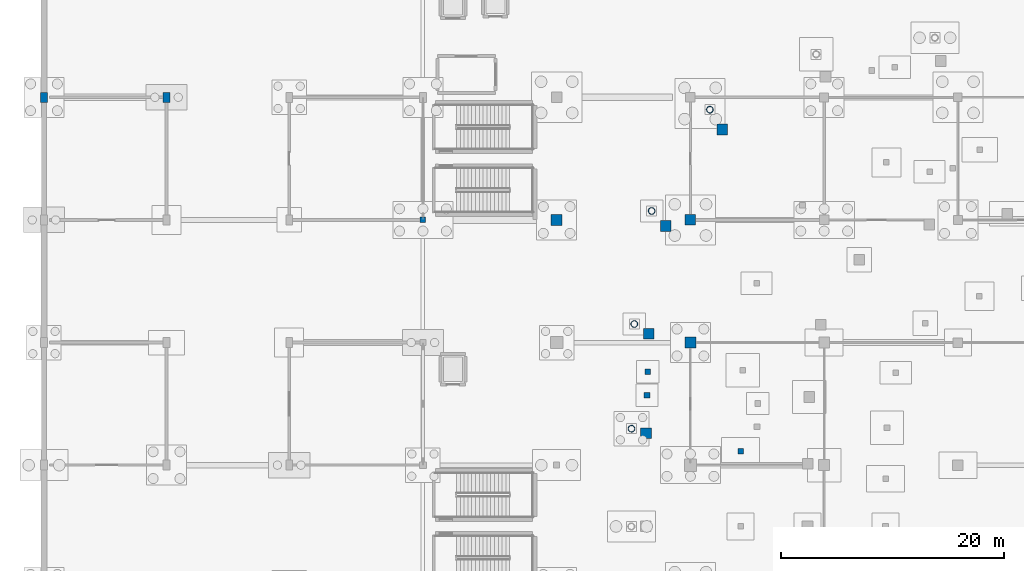
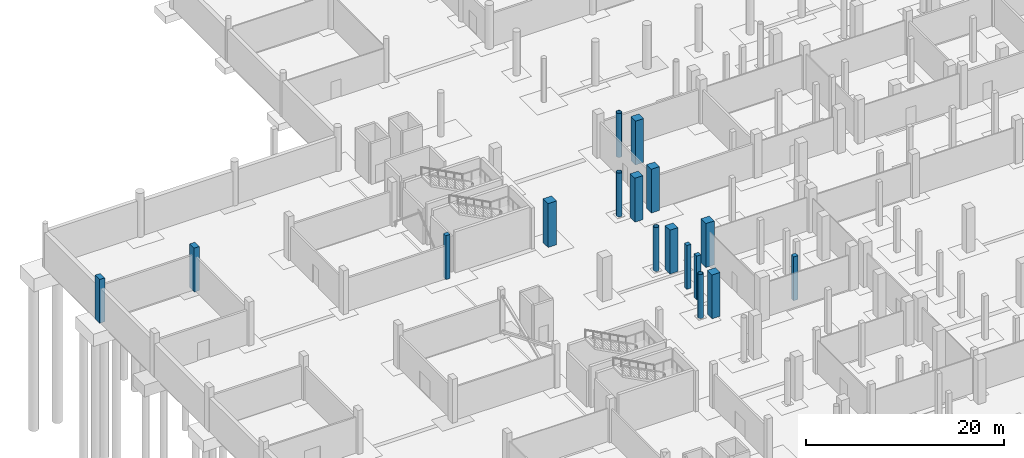
# One storey, part 15 of 60: 17 columns.
"""IFC4 building model written with IfcOpenShell, lengths in metres."""

from ifc_helpers import new_model, si_unit, direction, frame, origin, origin_2d, place, context, subcontext, project, spatial, rectangle, hollow_circle, extrude, material, material_profile, profile_set, type_object, element, save


model = new_model("IFC4")

# Units and contexts
model_context = context("Model", 3, precision=1e-05, world=origin(), true_north=direction((0.0, 1.0)))
body_context = subcontext(model_context, "Body", "Model", "MODEL_VIEW")
ifc_project = project(units=[si_unit("LENGTHUNIT", "METRE"), si_unit("AREAUNIT", "SQUARE_METRE"), si_unit("VOLUMEUNIT", "CUBIC_METRE"), si_unit("PLANEANGLEUNIT", "RADIAN"), si_unit("MASSUNIT", "GRAM", prefix="KILO")], contexts=[model_context])

# Site, building, storey
site_placement = place(None, origin())
site = spatial("IfcSite", under=ifc_project, at=site_placement, CompositionType="ELEMENT")
building_placement = place(site_placement, origin())
building = spatial("IfcBuilding", under=site, at=building_placement, Name="Luwafu Chhajja Arena", CompositionType="ELEMENT")
storey_placement = place(building_placement, frame((0.0, 0.0, -5.39990234375)))
storey = spatial("IfcBuildingStorey", under=building, at=storey_placement, Name="B1", CompositionType="ELEMENT", Elevation=-5.39990234375)

# Columns
ifc_material_1 = material(Name="Concrete C40/50", Category="concrete")
ifc_material_profile_1 = material_profile(ifc_material_1, rectangle(XDim=1.0, YDim=1.0, at=origin_2d()), Name="RC 1000x1000")
ifc_profile_set_1 = profile_set([ifc_material_profile_1], Name="Concrete C40/50")
column_type_1 = type_object("IfcColumnType", Name="Bowl Primary Column RC 1000", PredefinedType="COLUMN", material=ifc_profile_set_1)
for number, where, z_axis, x_axis, name in (
    (1, (46.0, 77.0, 0.0), (0.0, 0.0, 1.0), (1.0, 0.0, 0.0), "B1 Grid Column 5/H"),
    (2, (58.0, 66.0, 0.0), (0.0, 0.0, 1.0), (1.0, 0.0, 0.0), "B1 Grid Column 6/G"),
):
    element("IfcColumn", number, at=place(storey_placement, frame(where, z_axis=z_axis, x_axis=x_axis)), inside=storey, type_object=column_type_1, Name=name, PredefinedType="COLUMN", context=body_context, shape_type="SweptSolid", body=[
        extrude(rectangle(XDim=1.0, YDim=1.0, at=origin_2d()), origin(), (0.0, 0.0, 1.0), 5.39990234375),
    ])
ifc_material_profile_2 = material_profile(ifc_material_1, rectangle(XDim=0.949951171875, YDim=0.949951171875, at=origin_2d()), Name="RC 950x950")
ifc_profile_set_2 = profile_set([ifc_material_profile_2], Name="Concrete C40/50")
column_type_2 = type_object("IfcColumnType", Name="Bowl Raker Support Column RC 950", PredefinedType="COLUMN", material=ifc_profile_set_2)
for number, where, z_axis, x_axis, name in (
    (3, (58.0, 77.0, 0.0), (0.0, 0.0, 1.0), (1.0, 0.0, 0.0), "B1 Grid Column 6/H"),
    (4, (60.84619140625, 85.1103515625, 0.0), (0.0, 0.0, 1.0), (1.0, 0.0, 0.0), "B1 Upper Bowl Raker Column UO13"),
    (5, (55.772705078125, 76.4580078125, 0.0), (0.0, 0.0, 1.0), (1.0, 0.0, 0.0), "B1 Upper Bowl Raker Column UO14"),
    (6, (54.260498046875, 66.79638671875, 0.0), (0.0, 0.0, 1.0), (1.0, 0.0, 0.0), "B1 Upper Bowl Raker Column UO15"),
    (7, (54.01220703125, 57.85205078125, 0.0), (0.0, 0.0, 1.0), (1.0, 0.0, 0.0), "B1 Upper Bowl Raker Column UO16"),
):
    element("IfcColumn", number, at=place(storey_placement, frame(where, z_axis=z_axis, x_axis=x_axis)), inside=storey, type_object=column_type_2, Name=name, PredefinedType="COLUMN", context=body_context, shape_type="SweptSolid", body=[
        extrude(rectangle(XDim=0.949951171875, YDim=0.949951171875, at=origin_2d()), origin(), (0.0, 0.0, 1.0), 5.39990234375),
    ])
ifc_material_2 = material(Name="Concrete C35/45", Category="concrete")
ifc_material_profile_3 = material_profile(ifc_material_2, rectangle(XDim=0.5, YDim=0.5, at=origin_2d()), Name="RC 500x500")
ifc_profile_set_3 = profile_set([ifc_material_profile_3], Name="Concrete C35/45")
column_type_3 = type_object("IfcColumnType", Name="Pavilion Column RC 500", PredefinedType="COLUMN", material=ifc_profile_set_3)
for number, where, z_axis, x_axis, name in (
    (8, (34.0, 77.0, 0.0), (0.0, 0.0, 1.0), (1.0, 0.0, 0.0), "B1 Grid Column 4/H"),
    (9, (62.509765625, 56.26123046875, 0.0), (0.0, 0.0, 1.0), (1.0, 0.0, 0.0), "B1 Lower Bowl Support Column 16"),
    (10, (54.165283203125, 63.373779296875, 0.0), (0.0, 0.0, 1.0), (1.0, 0.0, 0.0), "B1 Vomitory Stack Column VU15A"),
    (11, (54.107177734375, 61.274658203125, 0.0), (0.0, 0.0, 1.0), (1.0, 0.0, 0.0), "B1 Vomitory Stack Column VU15B"),
):
    element("IfcColumn", number, at=place(storey_placement, frame(where, z_axis=z_axis, x_axis=x_axis)), inside=storey, type_object=column_type_3, Name=name, PredefinedType="COLUMN", context=body_context, shape_type="SweptSolid", body=[
        extrude(rectangle(XDim=0.5, YDim=0.5, at=origin_2d()), origin(), (0.0, 0.0, 1.0), 5.39990234375),
    ])
ifc_material_3 = material(Name="Steel S355", Category="steel")
ifc_material_profile_4 = material_profile(ifc_material_3, hollow_circle(Radius=0.304931640625, WallThickness=0.02490234375, at=origin_2d()), Name="CHS 610x25")
ifc_profile_set_4 = profile_set([ifc_material_profile_4], Name="Steel S355")
column_type_4 = type_object("IfcColumnType", Name="Steel Bowl Drum Column CHS 610", PredefinedType="COLUMN", material=ifc_profile_set_4)
for number, where, z_axis, x_axis, name in (
    (12, (59.743896484375, 86.890869140625, 0.0), (0.0, 0.0, 1.0), (1.0, 0.0, 0.0), "B1 Bowl Drum Column D13"),
    (13, (54.52392578125, 77.805908203125, 0.0), (0.0, 0.0, 1.0), (1.0, 0.0, 0.0), "B1 Bowl Drum Column D14"),
    (14, (52.968017578125, 67.6611328125, 0.0), (0.0, 0.0, 1.0), (1.0, 0.0, 0.0), "B1 Bowl Drum Column D15"),
    (15, (52.71240234375, 58.269775390625, 0.0), (0.0, 0.0, 1.0), (1.0, 0.0, 0.0), "B1 Bowl Drum Column D16"),
):
    element("IfcColumn", number, at=place(storey_placement, frame(where, z_axis=z_axis, x_axis=x_axis)), inside=storey, type_object=column_type_4, Name=name, PredefinedType="COLUMN", context=body_context, shape_type="SweptSolid", body=[
        extrude(hollow_circle(Radius=0.304931640625, WallThickness=0.02490234375, at=origin_2d()), origin(), (0.0, 0.0, 1.0), 5.39990234375),
    ])
ifc_material_profile_5 = material_profile(ifc_material_1, rectangle(XDim=0.60009765625, YDim=0.89990234375, at=origin_2d()), Name="RC 600x900")
ifc_profile_set_5 = profile_set([ifc_material_profile_5], Name="Concrete C40/50")
column_type_5 = type_object("IfcColumnType", Name="Warm-Up Hall Portal Column RC 600x900", PredefinedType="COLUMN", material=ifc_profile_set_5)
for number, where, z_axis, x_axis, name in (
    (16, (0.0, 88.0, 0.0), (0.0, 0.0, 1.0), (1.0, 0.0, 0.0), "B1 Grid Column 1/J"),
    (17, (11.0, 88.0, 0.0), (0.0, 0.0, 1.0), (1.0, 0.0, 0.0), "B1 Grid Column 2/J"),
):
    element("IfcColumn", number, at=place(storey_placement, frame(where, z_axis=z_axis, x_axis=x_axis)), inside=storey, type_object=column_type_5, Name=name, PredefinedType="COLUMN", context=body_context, shape_type="SweptSolid", body=[
        extrude(rectangle(XDim=0.60009765625, YDim=0.89990234375, at=origin_2d()), origin(), (0.0, 0.0, 1.0), 5.39990234375),
    ])

save(model, "model.ifc")
